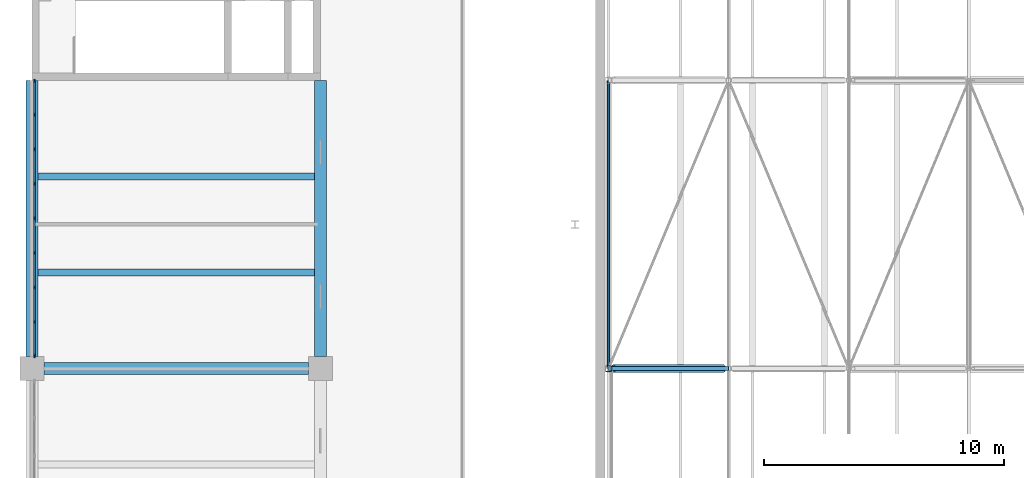
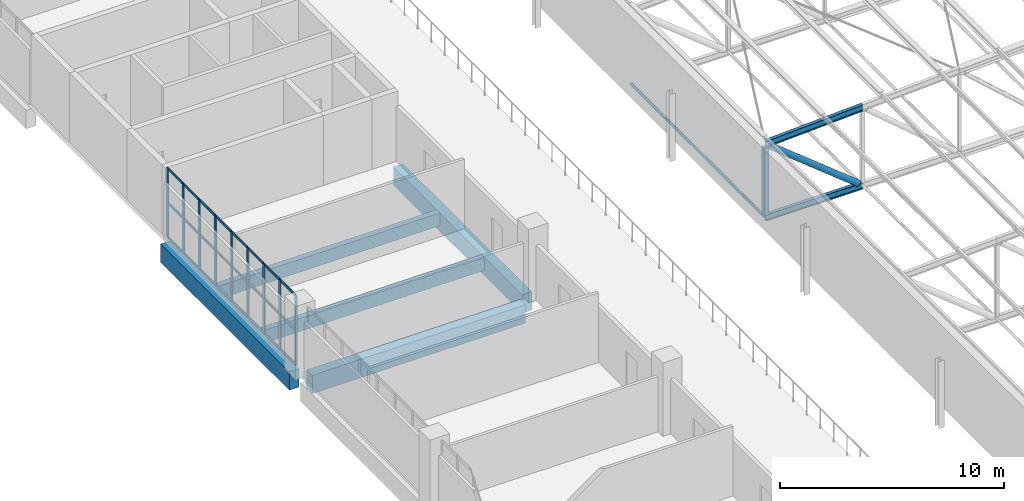
# One storey, part 26 of 156: 38 members, 5 beams, 1 element without a shape of its own.
"""IFC4 building model written with IfcOpenShell, lengths in metres."""

from ifc_helpers import new_model, si_unit, direction, frame, origin, origin_2d, place, context, subcontext, project, spatial, rectangle, hollow_rectangle, hollow_circle, i_section, extrude, material, layer, layer_set, material_profile, profile_set, type_object, element, aggregate, save


model = new_model("IFC4")

# Units and contexts
model_context = context("Model", 3, precision=1e-05, world=origin(), true_north=direction((0.0, 1.0)))
body_context = subcontext(model_context, "Body", "Model", "MODEL_VIEW")
ifc_project = project(units=[si_unit("LENGTHUNIT", "METRE"), si_unit("AREAUNIT", "SQUARE_METRE"), si_unit("VOLUMEUNIT", "CUBIC_METRE"), si_unit("PLANEANGLEUNIT", "RADIAN"), si_unit("MASSUNIT", "GRAM", prefix="KILO")], contexts=[model_context])

# Site, building, storey
site_placement = place(None, origin())
site = spatial("IfcSite", under=ifc_project, at=site_placement, CompositionType="ELEMENT")
building_placement = place(site_placement, origin())
building = spatial("IfcBuilding", under=site, at=building_placement, Name="Lilac Gate Convention Centre", CompositionType="ELEMENT")
storey_placement = place(building_placement, frame((0.0, 0.0, 17.0)))
storey = spatial("IfcBuildingStorey", under=building, at=storey_placement, Name="L03", CompositionType="ELEMENT", Elevation=17.0)

# Member
ifc_material_1 = material(Name="Steel Q355B", Category="steel")
ifc_material_profile_1 = material_profile(ifc_material_1, hollow_circle(Radius=0.06982421875, WallThickness=0.0048828125, at=origin_2d()), Name="CHS139.7x5")
ifc_profile_set_1 = profile_set([ifc_material_profile_1], Name="Steel Q355B")
member_type_1 = type_object("IfcMemberType", Name="Bottom chord tie CHS139.7x5", PredefinedType="STRUT", material=ifc_profile_set_1)
member_1_placement = place(storey_placement, frame((30.0, 78.00341796875, 0.0), z_axis=(0.0, 1.0, 0.0), x_axis=(-1.0, 0.0, 0.0)))
element("IfcMember", 1, at=member_1_placement, inside=storey, type_object=member_type_1, Name="ST1 tie bay 5 node 1", PredefinedType="STRUT", context=body_context, shape_type="SweptSolid", body=[
    extrude(hollow_circle(Radius=0.06982421875, WallThickness=0.0048828125, at=origin_2d()), origin(), (0.0, 0.0, 1.0), 11.9931640625),
])

# Curtain wall, members
ifc_material_2 = material(Name="Aluminium framed double glazing", Category="aluminium")
ifc_layer = layer(ifc_material_2, 0.199951171875)
ifc_layer_set = layer_set([ifc_layer], Name="Aluminium framed double glazing")
curtain_wall_type = type_object("IfcCurtainWallType", Name="Unitised curtain wall 1500", PredefinedType="NOTDEFINED", material=ifc_layer_set)
curtain_wall_placement = place(storey_placement, origin())
curtain_wall = element("IfcCurtainWall", 2, at=curtain_wall_placement, inside=storey, type_object=curtain_wall_type, Name="Curtain wall PW L03 9", PredefinedType="NOTDEFINED")
ifc_material_3 = material(Name="Aluminium alloy 6063", Category="aluminium")
ifc_material_profile_2 = material_profile(ifc_material_3, rectangle(XDim=0.06005859375, YDim=0.159912109375, at=origin_2d()), Name="Curtain wall mullion 60 x 160")
ifc_profile_set_2 = profile_set([ifc_material_profile_2], Name="Aluminium alloy 6063")
member_type_2 = type_object("IfcMemberType", Name="Curtain wall mullion 60 x 160", PredefinedType="MULLION", material=ifc_profile_set_2)
member_2_placement = place(storey_placement, frame((6.10009765625, 89.969970703125, 0.0), z_axis=(0.0, 0.0, 1.0), x_axis=(1.0, 0.0, 0.0)))
member_2 = element("IfcMember", 3, at=member_2_placement, type_object=member_type_2, Name="CW mullion 1", PredefinedType="MULLION", context=body_context, shape_type="SweptSolid", body=[
    extrude(rectangle(XDim=0.06005859375, YDim=0.159912109375, at=origin_2d()), origin(), (0.0, 0.0, 1.0), 3.800048828125),
])
member_3_placement = place(storey_placement, frame((6.10009765625, 88.5625, 0.0), z_axis=(0.0, 0.0, 1.0), x_axis=(1.0, 0.0, 0.0)))
member_3 = element("IfcMember", 4, at=member_3_placement, type_object=member_type_2, Name="CW mullion 2", PredefinedType="MULLION", context=body_context, shape_type="SweptSolid", body=[
    extrude(rectangle(XDim=0.06005859375, YDim=0.159912109375, at=origin_2d()), origin(), (0.0, 0.0, 1.0), 3.800048828125),
])
member_4_placement = place(storey_placement, frame((6.10009765625, 87.125, 0.0), z_axis=(0.0, 0.0, 1.0), x_axis=(1.0, 0.0, 0.0)))
member_4 = element("IfcMember", 5, at=member_4_placement, type_object=member_type_2, Name="CW mullion 3", PredefinedType="MULLION", context=body_context, shape_type="SweptSolid", body=[
    extrude(rectangle(XDim=0.06005859375, YDim=0.159912109375, at=origin_2d()), origin(), (0.0, 0.0, 1.0), 3.800048828125),
])
member_5_placement = place(storey_placement, frame((6.10009765625, 85.6875, 0.0), z_axis=(0.0, 0.0, 1.0), x_axis=(1.0, 0.0, 0.0)))
member_5 = element("IfcMember", 6, at=member_5_placement, type_object=member_type_2, Name="CW mullion 4", PredefinedType="MULLION", context=body_context, shape_type="SweptSolid", body=[
    extrude(rectangle(XDim=0.06005859375, YDim=0.159912109375, at=origin_2d()), origin(), (0.0, 0.0, 1.0), 3.800048828125),
])
member_6_placement = place(storey_placement, frame((6.10009765625, 84.25, 0.0), z_axis=(0.0, 0.0, 1.0), x_axis=(1.0, 0.0, 0.0)))
member_6 = element("IfcMember", 7, at=member_6_placement, type_object=member_type_2, Name="CW mullion 5", PredefinedType="MULLION", context=body_context, shape_type="SweptSolid", body=[
    extrude(rectangle(XDim=0.06005859375, YDim=0.159912109375, at=origin_2d()), origin(), (0.0, 0.0, 1.0), 3.800048828125),
])
member_7_placement = place(storey_placement, frame((6.10009765625, 82.8125, 0.0), z_axis=(0.0, 0.0, 1.0), x_axis=(1.0, 0.0, 0.0)))
member_7 = element("IfcMember", 8, at=member_7_placement, type_object=member_type_2, Name="CW mullion 6", PredefinedType="MULLION", context=body_context, shape_type="SweptSolid", body=[
    extrude(rectangle(XDim=0.06005859375, YDim=0.159912109375, at=origin_2d()), origin(), (0.0, 0.0, 1.0), 3.800048828125),
])
member_8_placement = place(storey_placement, frame((6.10009765625, 81.375, 0.0), z_axis=(0.0, 0.0, 1.0), x_axis=(1.0, 0.0, 0.0)))
member_8 = element("IfcMember", 9, at=member_8_placement, type_object=member_type_2, Name="CW mullion 7", PredefinedType="MULLION", context=body_context, shape_type="SweptSolid", body=[
    extrude(rectangle(XDim=0.06005859375, YDim=0.159912109375, at=origin_2d()), origin(), (0.0, 0.0, 1.0), 3.800048828125),
])
member_9_placement = place(storey_placement, frame((6.10009765625, 79.9375, 0.0), z_axis=(0.0, 0.0, 1.0), x_axis=(1.0, 0.0, 0.0)))
member_9 = element("IfcMember", 10, at=member_9_placement, type_object=member_type_2, Name="CW mullion 8", PredefinedType="MULLION", context=body_context, shape_type="SweptSolid", body=[
    extrude(rectangle(XDim=0.06005859375, YDim=0.159912109375, at=origin_2d()), origin(), (0.0, 0.0, 1.0), 3.800048828125),
])
member_10_placement = place(storey_placement, frame((6.10009765625, 78.530029296875, 0.0), z_axis=(0.0, 0.0, 1.0), x_axis=(1.0, 0.0, 0.0)))
member_10 = element("IfcMember", 11, at=member_10_placement, type_object=member_type_2, Name="CW mullion 9", PredefinedType="MULLION", context=body_context, shape_type="SweptSolid", body=[
    extrude(rectangle(XDim=0.06005859375, YDim=0.159912109375, at=origin_2d()), origin(), (0.0, 0.0, 1.0), 3.800048828125),
])
ifc_material_profile_3 = material_profile(ifc_material_3, rectangle(XDim=0.06005859375, YDim=0.1201171875, at=origin_2d()), Name="Curtain wall transom 60 x 120")
ifc_profile_set_3 = profile_set([ifc_material_profile_3], Name="Aluminium alloy 6063")
member_type_3 = type_object("IfcMemberType", Name="Curtain wall transom 60 x 120", PredefinedType="USERDEFINED", material=ifc_profile_set_3)
member_11_placement = place(storey_placement, frame((6.10009765625, 89.93994140625, 0.030029296875), z_axis=(0.0, -1.0, 0.0), x_axis=(1.0, 0.0, 0.0)))
member_11 = element("IfcMember", 12, at=member_11_placement, type_object=member_type_3, Name="CW transom 1.1", ObjectType="TRANSOM", PredefinedType="USERDEFINED", context=body_context, shape_type="SweptSolid", body=[
    extrude(rectangle(XDim=0.06005859375, YDim=0.1201171875, at=origin_2d()), origin(), (0.0, 0.0, 1.0), 1.347412109375),
])
member_12_placement = place(storey_placement, frame((6.10009765625, 89.93994140625, 1.89990234375), z_axis=(0.0, -1.0, 0.0), x_axis=(1.0, 0.0, 0.0)))
member_12 = element("IfcMember", 13, at=member_12_placement, type_object=member_type_3, Name="CW transom 1.2", ObjectType="TRANSOM", PredefinedType="USERDEFINED", context=body_context, shape_type="SweptSolid", body=[
    extrude(rectangle(XDim=0.06005859375, YDim=0.1201171875, at=origin_2d()), origin(), (0.0, 0.0, 1.0), 1.347412109375),
])
member_13_placement = place(storey_placement, frame((6.10009765625, 89.93994140625, 3.77001953125), z_axis=(0.0, -1.0, 0.0), x_axis=(1.0, 0.0, 0.0)))
member_13 = element("IfcMember", 14, at=member_13_placement, type_object=member_type_3, Name="CW transom 1.3", ObjectType="TRANSOM", PredefinedType="USERDEFINED", context=body_context, shape_type="SweptSolid", body=[
    extrude(rectangle(XDim=0.06005859375, YDim=0.1201171875, at=origin_2d()), origin(), (0.0, 0.0, 1.0), 1.347412109375),
])
member_14_placement = place(storey_placement, frame((6.10009765625, 88.532470703125, 0.030029296875), z_axis=(0.0, -1.0, 0.0), x_axis=(1.0, 0.0, 0.0)))
member_14 = element("IfcMember", 15, at=member_14_placement, type_object=member_type_3, Name="CW transom 2.1", ObjectType="TRANSOM", PredefinedType="USERDEFINED", context=body_context, shape_type="SweptSolid", body=[
    extrude(rectangle(XDim=0.06005859375, YDim=0.1201171875, at=origin_2d()), origin(), (0.0, 0.0, 1.0), 1.37744140625),
])
member_15_placement = place(storey_placement, frame((6.10009765625, 88.532470703125, 1.89990234375), z_axis=(0.0, -1.0, 0.0), x_axis=(1.0, 0.0, 0.0)))
member_15 = element("IfcMember", 16, at=member_15_placement, type_object=member_type_3, Name="CW transom 2.2", ObjectType="TRANSOM", PredefinedType="USERDEFINED", context=body_context, shape_type="SweptSolid", body=[
    extrude(rectangle(XDim=0.06005859375, YDim=0.1201171875, at=origin_2d()), origin(), (0.0, 0.0, 1.0), 1.37744140625),
])
member_16_placement = place(storey_placement, frame((6.10009765625, 88.532470703125, 3.77001953125), z_axis=(0.0, -1.0, 0.0), x_axis=(1.0, 0.0, 0.0)))
member_16 = element("IfcMember", 17, at=member_16_placement, type_object=member_type_3, Name="CW transom 2.3", ObjectType="TRANSOM", PredefinedType="USERDEFINED", context=body_context, shape_type="SweptSolid", body=[
    extrude(rectangle(XDim=0.06005859375, YDim=0.1201171875, at=origin_2d()), origin(), (0.0, 0.0, 1.0), 1.37744140625),
])
member_17_placement = place(storey_placement, frame((6.10009765625, 87.094970703125, 0.030029296875), z_axis=(0.0, -1.0, 0.0), x_axis=(1.0, 0.0, 0.0)))
member_17 = element("IfcMember", 18, at=member_17_placement, type_object=member_type_3, Name="CW transom 3.1", ObjectType="TRANSOM", PredefinedType="USERDEFINED", context=body_context, shape_type="SweptSolid", body=[
    extrude(rectangle(XDim=0.06005859375, YDim=0.1201171875, at=origin_2d()), origin(), (0.0, 0.0, 1.0), 1.37744140625),
])
member_18_placement = place(storey_placement, frame((6.10009765625, 87.094970703125, 1.89990234375), z_axis=(0.0, -1.0, 0.0), x_axis=(1.0, 0.0, 0.0)))
member_18 = element("IfcMember", 19, at=member_18_placement, type_object=member_type_3, Name="CW transom 3.2", ObjectType="TRANSOM", PredefinedType="USERDEFINED", context=body_context, shape_type="SweptSolid", body=[
    extrude(rectangle(XDim=0.06005859375, YDim=0.1201171875, at=origin_2d()), origin(), (0.0, 0.0, 1.0), 1.37744140625),
])
member_19_placement = place(storey_placement, frame((6.10009765625, 87.094970703125, 3.77001953125), z_axis=(0.0, -1.0, 0.0), x_axis=(1.0, 0.0, 0.0)))
member_19 = element("IfcMember", 20, at=member_19_placement, type_object=member_type_3, Name="CW transom 3.3", ObjectType="TRANSOM", PredefinedType="USERDEFINED", context=body_context, shape_type="SweptSolid", body=[
    extrude(rectangle(XDim=0.06005859375, YDim=0.1201171875, at=origin_2d()), origin(), (0.0, 0.0, 1.0), 1.37744140625),
])
member_20_placement = place(storey_placement, frame((6.10009765625, 85.657470703125, 0.030029296875), z_axis=(0.0, -1.0, 0.0), x_axis=(1.0, 0.0, 0.0)))
member_20 = element("IfcMember", 21, at=member_20_placement, type_object=member_type_3, Name="CW transom 4.1", ObjectType="TRANSOM", PredefinedType="USERDEFINED", context=body_context, shape_type="SweptSolid", body=[
    extrude(rectangle(XDim=0.06005859375, YDim=0.1201171875, at=origin_2d()), origin(), (0.0, 0.0, 1.0), 1.37744140625),
])
member_21_placement = place(storey_placement, frame((6.10009765625, 85.657470703125, 1.89990234375), z_axis=(0.0, -1.0, 0.0), x_axis=(1.0, 0.0, 0.0)))
member_21 = element("IfcMember", 22, at=member_21_placement, type_object=member_type_3, Name="CW transom 4.2", ObjectType="TRANSOM", PredefinedType="USERDEFINED", context=body_context, shape_type="SweptSolid", body=[
    extrude(rectangle(XDim=0.06005859375, YDim=0.1201171875, at=origin_2d()), origin(), (0.0, 0.0, 1.0), 1.37744140625),
])
member_22_placement = place(storey_placement, frame((6.10009765625, 85.657470703125, 3.77001953125), z_axis=(0.0, -1.0, 0.0), x_axis=(1.0, 0.0, 0.0)))
member_22 = element("IfcMember", 23, at=member_22_placement, type_object=member_type_3, Name="CW transom 4.3", ObjectType="TRANSOM", PredefinedType="USERDEFINED", context=body_context, shape_type="SweptSolid", body=[
    extrude(rectangle(XDim=0.06005859375, YDim=0.1201171875, at=origin_2d()), origin(), (0.0, 0.0, 1.0), 1.37744140625),
])
member_23_placement = place(storey_placement, frame((6.10009765625, 84.219970703125, 0.030029296875), z_axis=(0.0, -1.0, 0.0), x_axis=(1.0, 0.0, 0.0)))
member_23 = element("IfcMember", 24, at=member_23_placement, type_object=member_type_3, Name="CW transom 5.1", ObjectType="TRANSOM", PredefinedType="USERDEFINED", context=body_context, shape_type="SweptSolid", body=[
    extrude(rectangle(XDim=0.06005859375, YDim=0.1201171875, at=origin_2d()), origin(), (0.0, 0.0, 1.0), 1.37744140625),
])
member_24_placement = place(storey_placement, frame((6.10009765625, 84.219970703125, 1.89990234375), z_axis=(0.0, -1.0, 0.0), x_axis=(1.0, 0.0, 0.0)))
member_24 = element("IfcMember", 25, at=member_24_placement, type_object=member_type_3, Name="CW transom 5.2", ObjectType="TRANSOM", PredefinedType="USERDEFINED", context=body_context, shape_type="SweptSolid", body=[
    extrude(rectangle(XDim=0.06005859375, YDim=0.1201171875, at=origin_2d()), origin(), (0.0, 0.0, 1.0), 1.37744140625),
])
member_25_placement = place(storey_placement, frame((6.10009765625, 84.219970703125, 3.77001953125), z_axis=(0.0, -1.0, 0.0), x_axis=(1.0, 0.0, 0.0)))
member_25 = element("IfcMember", 26, at=member_25_placement, type_object=member_type_3, Name="CW transom 5.3", ObjectType="TRANSOM", PredefinedType="USERDEFINED", context=body_context, shape_type="SweptSolid", body=[
    extrude(rectangle(XDim=0.06005859375, YDim=0.1201171875, at=origin_2d()), origin(), (0.0, 0.0, 1.0), 1.37744140625),
])
member_26_placement = place(storey_placement, frame((6.10009765625, 82.782470703125, 0.030029296875), z_axis=(0.0, -1.0, 0.0), x_axis=(1.0, 0.0, 0.0)))
member_26 = element("IfcMember", 27, at=member_26_placement, type_object=member_type_3, Name="CW transom 6.1", ObjectType="TRANSOM", PredefinedType="USERDEFINED", context=body_context, shape_type="SweptSolid", body=[
    extrude(rectangle(XDim=0.06005859375, YDim=0.1201171875, at=origin_2d()), origin(), (0.0, 0.0, 1.0), 1.37744140625),
])
member_27_placement = place(storey_placement, frame((6.10009765625, 82.782470703125, 1.89990234375), z_axis=(0.0, -1.0, 0.0), x_axis=(1.0, 0.0, 0.0)))
member_27 = element("IfcMember", 28, at=member_27_placement, type_object=member_type_3, Name="CW transom 6.2", ObjectType="TRANSOM", PredefinedType="USERDEFINED", context=body_context, shape_type="SweptSolid", body=[
    extrude(rectangle(XDim=0.06005859375, YDim=0.1201171875, at=origin_2d()), origin(), (0.0, 0.0, 1.0), 1.37744140625),
])
member_28_placement = place(storey_placement, frame((6.10009765625, 82.782470703125, 3.77001953125), z_axis=(0.0, -1.0, 0.0), x_axis=(1.0, 0.0, 0.0)))
member_28 = element("IfcMember", 29, at=member_28_placement, type_object=member_type_3, Name="CW transom 6.3", ObjectType="TRANSOM", PredefinedType="USERDEFINED", context=body_context, shape_type="SweptSolid", body=[
    extrude(rectangle(XDim=0.06005859375, YDim=0.1201171875, at=origin_2d()), origin(), (0.0, 0.0, 1.0), 1.37744140625),
])
member_29_placement = place(storey_placement, frame((6.10009765625, 81.344970703125, 0.030029296875), z_axis=(0.0, -1.0, 0.0), x_axis=(1.0, 0.0, 0.0)))
member_29 = element("IfcMember", 30, at=member_29_placement, type_object=member_type_3, Name="CW transom 7.1", ObjectType="TRANSOM", PredefinedType="USERDEFINED", context=body_context, shape_type="SweptSolid", body=[
    extrude(rectangle(XDim=0.06005859375, YDim=0.1201171875, at=origin_2d()), origin(), (0.0, 0.0, 1.0), 1.37744140625),
])
member_30_placement = place(storey_placement, frame((6.10009765625, 81.344970703125, 1.89990234375), z_axis=(0.0, -1.0, 0.0), x_axis=(1.0, 0.0, 0.0)))
member_30 = element("IfcMember", 31, at=member_30_placement, type_object=member_type_3, Name="CW transom 7.2", ObjectType="TRANSOM", PredefinedType="USERDEFINED", context=body_context, shape_type="SweptSolid", body=[
    extrude(rectangle(XDim=0.06005859375, YDim=0.1201171875, at=origin_2d()), origin(), (0.0, 0.0, 1.0), 1.37744140625),
])
member_31_placement = place(storey_placement, frame((6.10009765625, 81.344970703125, 3.77001953125), z_axis=(0.0, -1.0, 0.0), x_axis=(1.0, 0.0, 0.0)))
member_31 = element("IfcMember", 32, at=member_31_placement, type_object=member_type_3, Name="CW transom 7.3", ObjectType="TRANSOM", PredefinedType="USERDEFINED", context=body_context, shape_type="SweptSolid", body=[
    extrude(rectangle(XDim=0.06005859375, YDim=0.1201171875, at=origin_2d()), origin(), (0.0, 0.0, 1.0), 1.37744140625),
])
member_32_placement = place(storey_placement, frame((6.10009765625, 79.907470703125, 0.030029296875), z_axis=(0.0, -1.0, 0.0), x_axis=(1.0, 0.0, 0.0)))
member_32 = element("IfcMember", 33, at=member_32_placement, type_object=member_type_3, Name="CW transom 8.1", ObjectType="TRANSOM", PredefinedType="USERDEFINED", context=body_context, shape_type="SweptSolid", body=[
    extrude(rectangle(XDim=0.06005859375, YDim=0.1201171875, at=origin_2d()), origin(), (0.0, 0.0, 1.0), 1.347412109375),
])
member_33_placement = place(storey_placement, frame((6.10009765625, 79.907470703125, 1.89990234375), z_axis=(0.0, -1.0, 0.0), x_axis=(1.0, 0.0, 0.0)))
member_33 = element("IfcMember", 34, at=member_33_placement, type_object=member_type_3, Name="CW transom 8.2", ObjectType="TRANSOM", PredefinedType="USERDEFINED", context=body_context, shape_type="SweptSolid", body=[
    extrude(rectangle(XDim=0.06005859375, YDim=0.1201171875, at=origin_2d()), origin(), (0.0, 0.0, 1.0), 1.347412109375),
])
member_34_placement = place(storey_placement, frame((6.10009765625, 79.907470703125, 3.77001953125), z_axis=(0.0, -1.0, 0.0), x_axis=(1.0, 0.0, 0.0)))
member_34 = element("IfcMember", 35, at=member_34_placement, type_object=member_type_3, Name="CW transom 8.3", ObjectType="TRANSOM", PredefinedType="USERDEFINED", context=body_context, shape_type="SweptSolid", body=[
    extrude(rectangle(XDim=0.06005859375, YDim=0.1201171875, at=origin_2d()), origin(), (0.0, 0.0, 1.0), 1.347412109375),
])
aggregate(curtain_wall, [member_2, member_3, member_4, member_5, member_6, member_7, member_8, member_9, member_10, member_11, member_12, member_13, member_14, member_15, member_16, member_17, member_18, member_19, member_20, member_21, member_22, member_23, member_24, member_25, member_26, member_27, member_28, member_29, member_30, member_31, member_32, member_33, member_34])

# Beams
ifc_material_4 = material(Name="Concrete C40", Category="concrete")
ifc_material_profile_4 = material_profile(ifc_material_4, rectangle(XDim=0.5, YDim=1.0, at=origin_2d()), Name="RC 500x1000")
ifc_profile_set_4 = profile_set([ifc_material_profile_4], Name="Concrete C40")
beam_type_1 = type_object("IfcBeamType", Name="Primary beam 500x1000 C40", PredefinedType="BEAM", material=ifc_profile_set_4)
beam_placement = place(storey_placement, frame((6.5, 78.0, -0.75), z_axis=(1.0, 0.0, 0.0), x_axis=(0.0, 1.0, 0.0)))
element("IfcBeam", 36, at=beam_placement, inside=storey, type_object=beam_type_1, Name="RB1 L03 1/E-2/E", PredefinedType="BEAM", context=body_context, shape_type="SweptSolid", body=[
    extrude(rectangle(XDim=0.5, YDim=1.0, at=origin_2d()), origin(), (0.0, 0.0, 1.0), 11.0),
])
for number, where, z_axis, x_axis, name in (
    (37, (6.0, 78.5, -0.75), (0.0, 1.0, 0.0), (-1.0, 0.0, 0.0), "RB1 L03 1/E-1/F"),
    (38, (18.0, 78.5, -0.75), (0.0, 1.0, 0.0), (-1.0, 0.0, 0.0), "RB1 L03 2/E-2/F"),
):
    element("IfcBeam", number, at=place(storey_placement, frame(where, z_axis=z_axis, x_axis=x_axis)), inside=storey, type_object=beam_type_1, Name=name, PredefinedType="BEAM", context=body_context, shape_type="SweptSolid", body=[
        extrude(rectangle(XDim=0.5, YDim=1.0, at=origin_2d()), origin(), (0.0, 0.0, 1.0), 11.5),
    ])
ifc_material_profile_5 = material_profile(ifc_material_4, rectangle(XDim=0.300048828125, YDim=0.699951171875, at=origin_2d()), Name="RC 300x700")
ifc_profile_set_5 = profile_set([ifc_material_profile_5], Name="Concrete C40")
beam_type_2 = type_object("IfcBeamType", Name="Secondary beam 300x700 C40", PredefinedType="BEAM", material=ifc_profile_set_5)
for number, where, z_axis, x_axis, name in (
    (39, (6.25, 82.0, -0.60009765625), (1.0, 0.0, 0.0), (0.0, 1.0, 0.0), "RB2 L03 bay 1/E"),
    (40, (6.25, 86.0, -0.60009765625), (1.0, 0.0, 0.0), (0.0, 1.0, 0.0), "RB2 L03 bay 1/E"),
):
    element("IfcBeam", number, at=place(storey_placement, frame(where, z_axis=z_axis, x_axis=x_axis)), inside=storey, type_object=beam_type_2, Name=name, PredefinedType="BEAM", context=body_context, shape_type="SweptSolid", body=[
        extrude(rectangle(XDim=0.300048828125, YDim=0.699951171875, at=origin_2d()), origin(), (0.0, 0.0, 1.0), 11.5),
    ])

# Members
ifc_material_profile_6 = material_profile(ifc_material_1, i_section(OverallWidth=0.175048828125, OverallDepth=0.35009765625, WebThickness=0.007080078125, FlangeThickness=0.010986328125, FilletRadius=0.012939453125, at=origin_2d()), Name="HN350x175x7x11")
ifc_profile_set_6 = profile_set([ifc_material_profile_6], Name="Steel Q355B")
member_type_4 = type_object("IfcMemberType", Name="Truss bottom chord HN350x175x7x11", PredefinedType="CHORD", material=ifc_profile_set_6)
member_35_placement = place(storey_placement, frame((30.0, 78.0, 0.0), z_axis=(1.0, 0.0, 0.0), x_axis=(0.0, 1.0, 0.0)))
element("IfcMember", 41, at=member_35_placement, inside=storey, type_object=member_type_4, Name="TB1 truss 5 bottom chord 1", PredefinedType="CHORD", context=body_context, shape_type="SweptSolid", body=[
    extrude(i_section(OverallWidth=0.175048828125, OverallDepth=0.35009765625, WebThickness=0.007080078125, FlangeThickness=0.010986328125, FilletRadius=0.012939453125, at=origin_2d()), origin(), (0.0, 0.0, 1.0), 5.0),
])
ifc_material_profile_7 = material_profile(ifc_material_1, hollow_circle(Radius=0.161865234375, WallThickness=0.011962890625, at=origin_2d()), Name="CHS323.9x12")
ifc_profile_set_7 = profile_set([ifc_material_profile_7], Name="Steel Q355B")
member_type_5 = type_object("IfcMemberType", Name="Truss diagonal CHS323.9x12", PredefinedType="BRACE", material=ifc_profile_set_7)
member_36_placement = place(storey_placement, frame((30.205322265625, 78.0, 3.835693359375), z_axis=(0.780876938611, 0.0, -0.624684885959), x_axis=(0.0, 1.0, 0.0)))
element("IfcMember", 42, at=member_36_placement, inside=storey, type_object=member_type_5, Name="TW1 truss 5 diagonal 1", PredefinedType="BRACE", context=body_context, shape_type="SweptSolid", body=[
    extrude(hollow_circle(Radius=0.161865234375, WallThickness=0.011962890625, at=origin_2d()), origin(), (0.0, 0.0, 1.0), 5.860107421875),
])
ifc_material_profile_8 = material_profile(ifc_material_1, i_section(OverallWidth=0.175048828125, OverallDepth=0.35009765625, WebThickness=0.007080078125, FlangeThickness=0.010986328125, FilletRadius=0.012939453125, at=origin_2d()), Name="HN350x175x7x11")
ifc_profile_set_8 = profile_set([ifc_material_profile_8], Name="Steel Q355B")
member_type_6 = type_object("IfcMemberType", Name="Truss top chord HN350x175x7x11", PredefinedType="CHORD", material=ifc_profile_set_8)
member_37_placement = place(storey_placement, frame((30.0, 78.0, 4.0), z_axis=(0.998752338878, 0.0, 0.049937616944), x_axis=(0.0, 1.0, 0.0)))
element("IfcMember", 43, at=member_37_placement, inside=storey, type_object=member_type_6, Name="TT1 truss 5 top chord 1", PredefinedType="CHORD", context=body_context, shape_type="SweptSolid", body=[
    extrude(i_section(OverallWidth=0.175048828125, OverallDepth=0.35009765625, WebThickness=0.007080078125, FlangeThickness=0.010986328125, FilletRadius=0.012939453125, at=origin_2d()), origin(), (0.0, 0.0, 1.0), 5.00634765625),
])
ifc_material_profile_9 = material_profile(ifc_material_1, hollow_rectangle(XDim=0.25, YDim=0.25, WallThickness=0.010009765625, InnerFilletRadius=0.014892578125, OuterFilletRadius=0.02490234375, at=origin_2d()), Name="SHS250x250x10")
ifc_profile_set_9 = profile_set([ifc_material_profile_9], Name="Steel Q355B")
member_type_7 = type_object("IfcMemberType", Name="Truss vertical SHS250x250x10", PredefinedType="STRUT", material=ifc_profile_set_9)
member_38_placement = place(storey_placement, frame((30.0, 78.0, 0.175048828125), z_axis=(0.0, 0.0, 1.0), x_axis=(1.0, 0.0, 0.0)))
element("IfcMember", 44, at=member_38_placement, inside=storey, type_object=member_type_7, Name="TV1 truss 5 vertical 1", PredefinedType="STRUT", context=body_context, shape_type="SweptSolid", body=[
    extrude(hollow_rectangle(XDim=0.25, YDim=0.25, WallThickness=0.010009765625, InnerFilletRadius=0.014892578125, OuterFilletRadius=0.02490234375, at=origin_2d()), origin(), (0.0, 0.0, 1.0), 3.649658203125),
])

save(model, "model.ifc")
